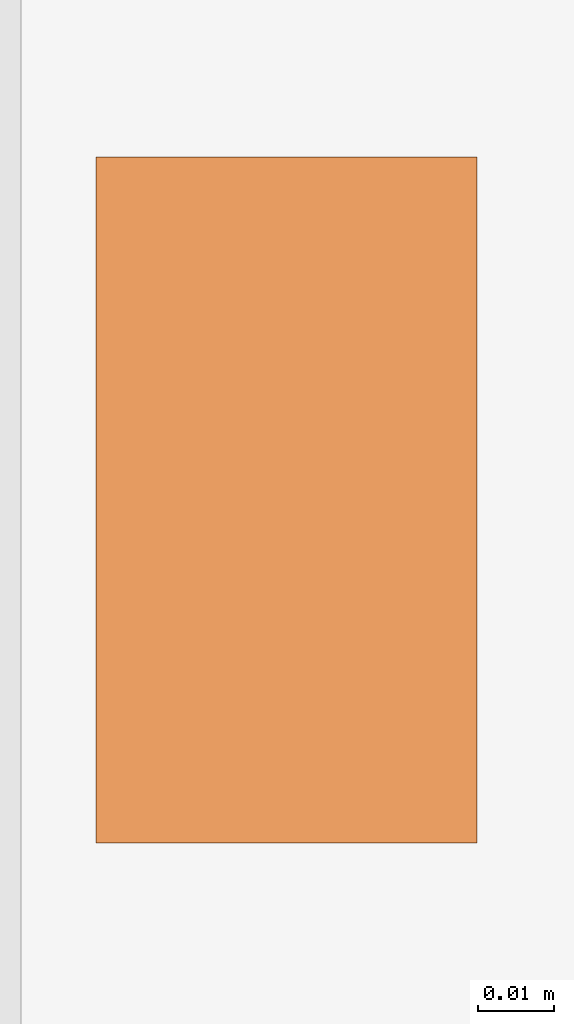
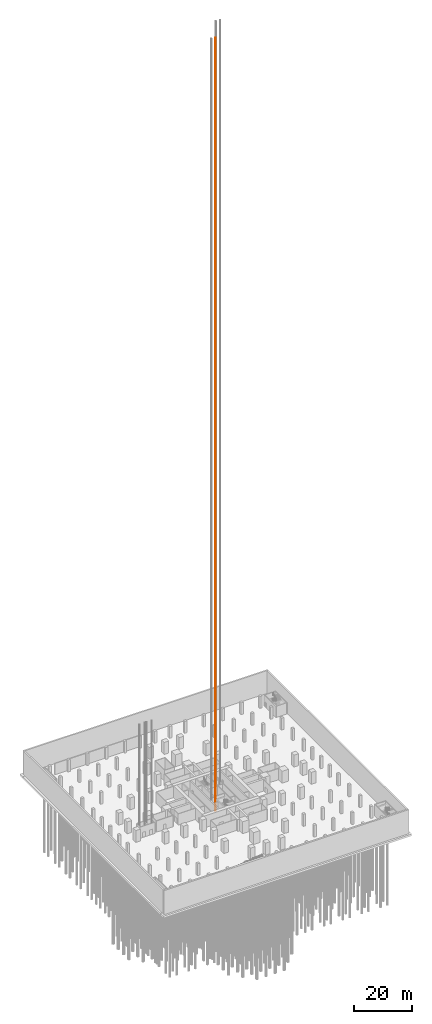
# One storey, part 29 of 31: 1 proxy.
"""IFC4 building model written with IfcOpenShell, lengths in metres."""

from ifc_helpers import new_model, si_unit, direction, frame, origin, origin_2d, place, context, subcontext, project, spatial, rectangle, extrude, material, element, save


model = new_model("IFC4")

# Units and contexts
model_context = context("Model", 3, precision=1e-05, world=origin(), true_north=direction((0.0, 1.0)))
body_context = subcontext(model_context, "Body", "Model", "MODEL_VIEW")
ifc_project = project(units=[si_unit("LENGTHUNIT", "METRE"), si_unit("AREAUNIT", "SQUARE_METRE"), si_unit("VOLUMEUNIT", "CUBIC_METRE"), si_unit("PLANEANGLEUNIT", "RADIAN"), si_unit("MASSUNIT", "GRAM", prefix="KILO")], contexts=[model_context])

# Site, building, storey
site_placement = place(None, origin())
site = spatial("IfcSite", under=ifc_project, at=site_placement, CompositionType="ELEMENT")
building_placement = place(site_placement, origin())
building = spatial("IfcBuilding", under=site, at=building_placement, Name="Mizan Broadcast Tower", CompositionType="ELEMENT")
storey_placement = place(building_placement, frame((0.0, 0.0, -10.0)))
storey = spatial("IfcBuildingStorey", under=building, at=storey_placement, Name="B2", CompositionType="ELEMENT", Elevation=-10.0)

# Proxy
ifc_material = material(Name="Steel guide rail", Category="steel")
proxy_placement = place(storey_placement, frame((-2.489990234375, -4.175048828125, 0.0), z_axis=(0.0, 0.0, 1.0), x_axis=(1.0, 0.0, 0.0)))
element("IfcBuildingElementProxy", 1, at=proxy_placement, inside=storey, material=ifc_material, Name="Guide rail FF1-2", PredefinedType="NOTDEFINED", context=body_context, shape_type="SweptSolid", body=[
    extrude(rectangle(XDim=0.050048828125, YDim=0.090087890625, at=origin_2d()), origin(), (0.0, 0.0, 1.0), 326.0),
])

save(model, "model.ifc")
